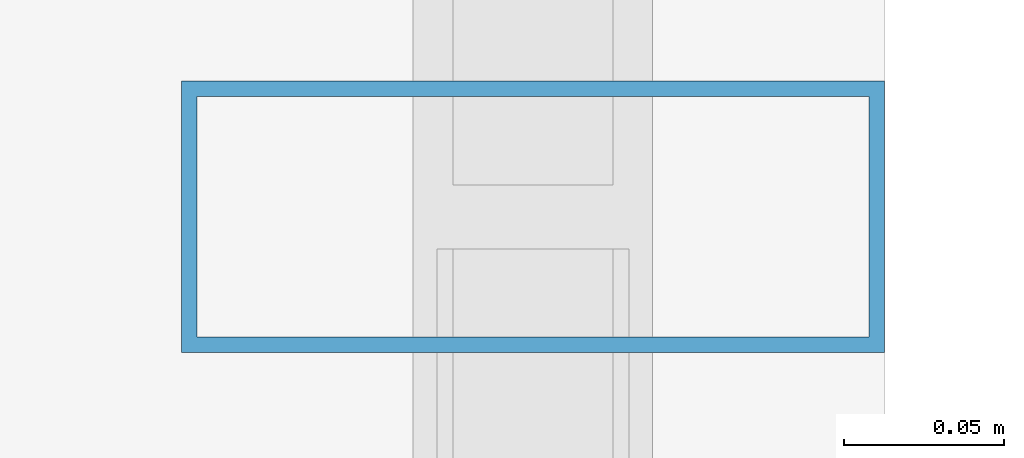
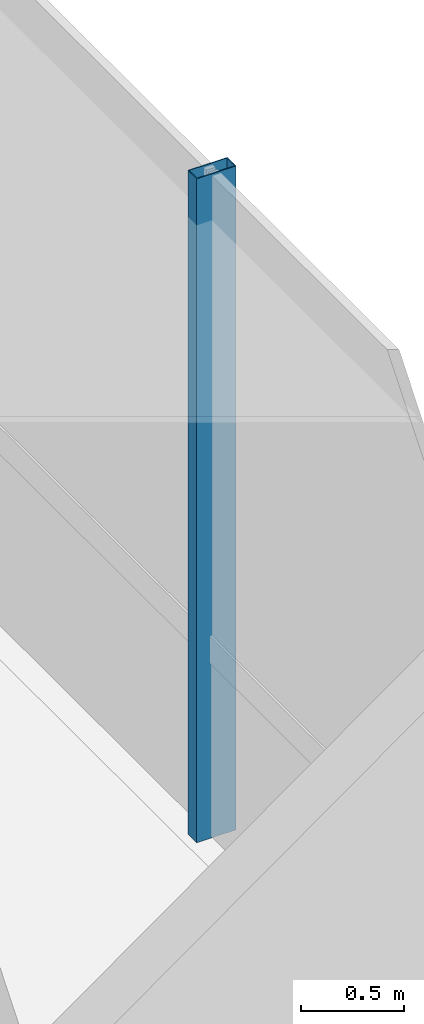
# One storey, part 14 of 37: 1 member, 1 element without a shape of its own.
"""IFC4 building model written with IfcOpenShell, lengths in metres."""

from ifc_helpers import new_model, si_unit, direction, frame, origin, origin_2d, place, context, subcontext, project, spatial, hollow_rectangle, extrude, source, transform, mapped, material, material_profile, profile_set, type_object, element, aggregate, save


model = new_model("IFC4")

# Units and contexts
model_context = context("Model", 3, precision=1e-05, world=origin(), true_north=direction((0.0, 1.0)))
body_context = subcontext(model_context, "Body", "Model", "MODEL_VIEW")
ifc_project = project(units=[si_unit("LENGTHUNIT", "METRE"), si_unit("AREAUNIT", "SQUARE_METRE"), si_unit("VOLUMEUNIT", "CUBIC_METRE"), si_unit("PLANEANGLEUNIT", "RADIAN"), si_unit("MASSUNIT", "GRAM", prefix="KILO")], contexts=[model_context])

# Site, building, storey
site_placement = place(None, origin())
site = spatial("IfcSite", under=ifc_project, at=site_placement, CompositionType="ELEMENT")
building_placement = place(site_placement, origin())
building = spatial("IfcBuilding", under=site, at=building_placement, Name="Valdorenza Pilgrim Sanctuary Tower", CompositionType="ELEMENT")
storey_placement = place(building_placement, frame((0.0, 0.0, 172.300048828125)))
storey = spatial("IfcBuildingStorey", under=building, at=storey_placement, Name="L44", CompositionType="ELEMENT", Elevation=172.300048828125)

# Curtain wall, member
ifc_material_1 = material(Name="Curtain-wall IGU glazing", Category="glass")
curtain_wall_type = type_object("IfcCurtainWallType", Name="CW-SYS-03", PredefinedType="NOTDEFINED", material=ifc_material_1)
curtain_wall_placement = place(storey_placement, origin())
curtain_wall = element("IfcCurtainWall", 1, at=curtain_wall_placement, inside=storey, type_object=curtain_wall_type, Name="L44 Curtain Wall CW-L44-1-37", PredefinedType="NOTDEFINED")
ifc_material_2 = material(Name="Anodised aluminium AW-6060", Category="aluminium")
ifc_material_profile = material_profile(ifc_material_2, hollow_rectangle(XDim=0.0849609375, YDim=0.219970703125, WallThickness=0.0048828125, at=origin_2d()), Name="ALU-M 220x85x5")
ifc_profile_set = profile_set([ifc_material_profile], Name="Anodised aluminium AW-6060")
member_type = type_object("IfcMemberType", Name="CW-MUL-03", PredefinedType="MULLION", material=ifc_profile_set)
shared_shape = source(origin(), body_context, "Body", "SweptSolid", [
    extrude(hollow_rectangle(XDim=0.0849609375, YDim=0.219970703125, WallThickness=0.0048828125, at=origin_2d()), origin(), (0.0, 0.0, 1.0), 3.929931640625),
])
member_placement = place(storey_placement, frame((29.68994140625, 1.589599609375, 0.0), z_axis=(0.0, 0.0, 1.0), x_axis=(0.0, -1.0, 0.0)))
member = element("IfcMember", 2, at=member_placement, type_object=member_type, Name="CW-L44-1-37 Mullion 3", PredefinedType="MULLION", context=body_context, shape_type="MappedRepresentation", body=[
    mapped(shared_shape, transform((0.0, 0.0, 0.0), x_axis=(1.0, 0.0, 0.0), y_axis=(0.0, 1.0, 0.0), z_axis=(0.0, 0.0, 1.0), scale=1.0)),
])
aggregate(curtain_wall, [member])

save(model, "model.ifc")
